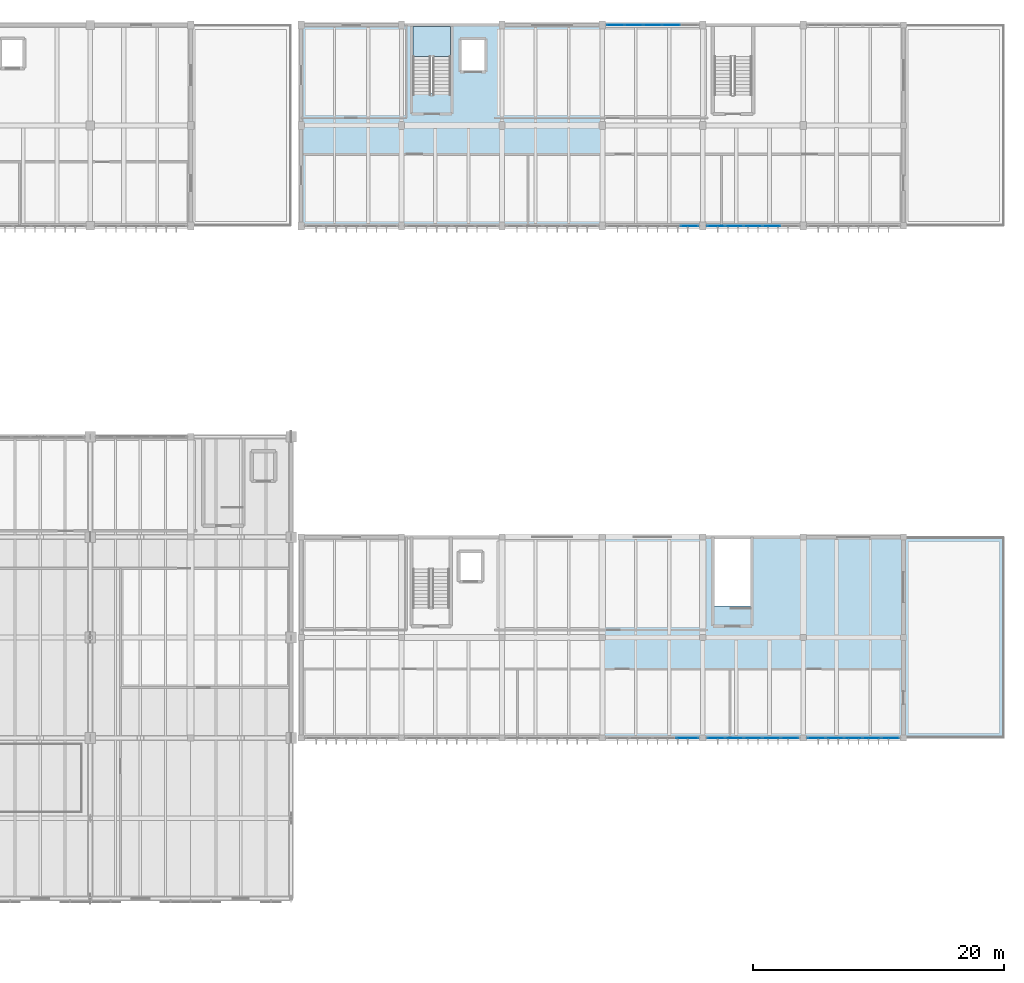
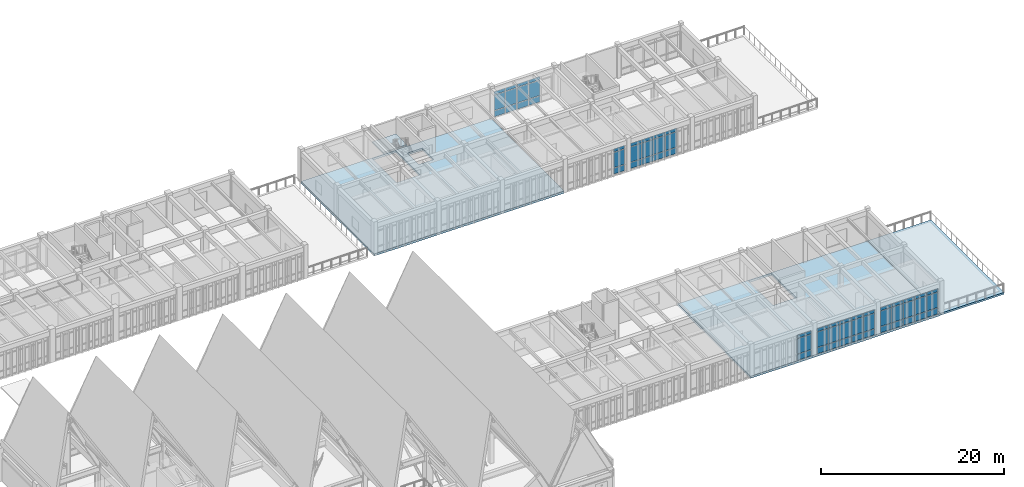
# One storey, part 40 of 72: 60 plates, 4 slabs, 7 elements without a shape of their own.
"""IFC4 building model written with IfcOpenShell, lengths in metres."""

import ifcopenshell
import ifcopenshell.guid

model = None  # the IFC model being written
_history = None  # IfcOwnerHistory: only IFC2X3 demands one
_inside = {}  # id of a spatial element -> (the spatial element, [elements in it])
_under = {}  # id of a project, library or spatial element -> (it, [spatial elements below it])
_declared = {}  # id of a project -> (the project, [libraries it declares])
_typed = {}  # id of a type object -> (the type object, [elements of that type])
_made_of = {}  # id of a material, layer set ... -> (it, [elements and type objects made of it])


def new_model(schema):
    """Start an empty IFC model of exactly this schema.

    Asked for "IFC4X3", IfcOpenShell would pick the latest addendum, in which some entities
    have other attributes; the version numbers below select the first issue.
    IFC2X3 requires an IfcOwnerHistory on every rooted entity: one is made here for all.
    """
    global model, _history
    if schema == "IFC4X3":
        model = ifcopenshell.file(schema_version=(4, 3, 0, 0))
    else:
        model = ifcopenshell.file(schema=schema)
    _inside.clear()
    _under.clear()
    _declared.clear()
    _typed.clear()
    _made_of.clear()
    _history = None
    if model.schema == "IFC2X3":
        org = make("IfcOrganization", Name="unknown")
        user = make(
            "IfcPersonAndOrganization",
            ThePerson=make("IfcPerson", FamilyName="unknown"),
            TheOrganization=org,
        )
        app = make(
            "IfcApplication",
            ApplicationDeveloper=org,
            Version="unknown",
            ApplicationFullName="unknown",
            ApplicationIdentifier="unknown",
        )
        _history = make(
            "IfcOwnerHistory",
            OwningUser=user,
            OwningApplication=app,
            ChangeAction="ADDED",
            CreationDate=0,
        )
    return model


def make(cls, **values):
    """One entity of the class cls with the attributes given. An attribute that is None is left unset."""
    return model.create_entity(
        cls, **{name: value for name, value in values.items() if value is not None}
    )


def rooted(cls, **values):
    """An entity with a GlobalId (a new one), such as an element, a storey or a relation."""
    return make(cls, GlobalId=ifcopenshell.guid.new(), OwnerHistory=_history, **values)


def si_unit(unit_type, name, prefix=None):
    """IfcSIUnit, for example si_unit("LENGTHUNIT", "METRE", prefix="MILLI")."""
    return make("IfcSIUnit", UnitType=unit_type, Prefix=prefix, Name=name)


def assignment(units):
    """IfcUnitAssignment: the units of a project."""
    return None if units is None else make("IfcUnitAssignment", Units=units)


def point(xyz):
    """IfcCartesianPoint."""
    return None if xyz is None else make("IfcCartesianPoint", Coordinates=xyz)


def direction(xyz):
    """IfcDirection."""
    return None if xyz is None else make("IfcDirection", DirectionRatios=xyz)


def frame(location, z_axis=None, x_axis=None):
    """IfcAxis2Placement3D, a coordinate frame: its origin and axes. An axis left out is left unset."""
    return make(
        "IfcAxis2Placement3D",
        Location=point(location),
        Axis=direction(z_axis),
        RefDirection=direction(x_axis),
    )


def frame_2d(location, x_axis=None):
    """IfcAxis2Placement2D, a coordinate frame in the plane: its origin and x axis."""
    return make(
        "IfcAxis2Placement2D", Location=point(location), RefDirection=direction(x_axis)
    )


def origin():
    """The frame at (0, 0, 0) with its axes left unset."""
    return frame((0.0, 0.0, 0.0))


def origin_2d():
    """The frame at (0, 0) in the plane with its x axis left unset."""
    return frame_2d((0.0, 0.0))


def place(relative_to, where):
    """IfcLocalPlacement: puts the frame where relative to a parent placement (None: the world)."""
    return make(
        "IfcLocalPlacement", PlacementRelTo=relative_to, RelativePlacement=where
    )


def context(
    kind, dimensions, precision=None, world=None, true_north=None, identifier=None
):
    """IfcGeometricRepresentationContext, for example the 3D "Model" context."""
    return make(
        "IfcGeometricRepresentationContext",
        ContextIdentifier=identifier,
        ContextType=kind,
        CoordinateSpaceDimension=dimensions,
        Precision=precision,
        WorldCoordinateSystem=world,
        TrueNorth=true_north,
    )


def subcontext(parent, identifier, kind, view, scale=None):
    """IfcGeometricRepresentationSubContext, for example "Body" below "Model"."""
    return make(
        "IfcGeometricRepresentationSubContext",
        ContextIdentifier=identifier,
        ContextType=kind,
        ParentContext=parent,
        TargetScale=scale,
        TargetView=view,
    )


def project(units=None, contexts=None):
    """IfcProject with its units and contexts."""
    return rooted(
        "IfcProject",
        Name="project",
        RepresentationContexts=contexts,
        UnitsInContext=assignment(units),
    )


def spatial(cls, under=None, at=None, **own):
    """A site, building, storey or space (cls), placed at a placement, below another one or the project."""
    s = rooted(cls, ObjectPlacement=at, **own)
    if under is not None:
        _under.setdefault(under.id(), (under, []))[1].append(s)
    return s


def polyline(points):
    """IfcPolyline through the points."""
    return make("IfcPolyline", Points=[point(p) for p in points])


def profile(cls, at=None, kind="AREA", **sizes):
    """A parametric profile (cls). Its sizes go by their IFC names, for example OverallWidth=200.0."""
    return make(cls, ProfileType=kind, Position=at, **sizes)


def rectangle(**sizes):
    """IfcRectangleProfileDef."""
    return profile("IfcRectangleProfileDef", **sizes)


def outline(outer, holes=None, kind="AREA"):
    """IfcArbitraryClosedProfileDef: a profile drawn as a closed curve; with holes, ...WithVoids."""
    if holes is None:
        return make("IfcArbitraryClosedProfileDef", ProfileType=kind, OuterCurve=outer)
    return make(
        "IfcArbitraryProfileDefWithVoids",
        ProfileType=kind,
        OuterCurve=outer,
        InnerCurves=holes,
    )


def extrude(swept, where, along, depth):
    """IfcExtrudedAreaSolid: the profile swept, set in the frame where, extruded along a direction by depth."""
    return make(
        "IfcExtrudedAreaSolid",
        SweptArea=swept,
        Position=where,
        ExtrudedDirection=direction(along),
        Depth=depth,
    )


def shape(context_of_items, identifier, shape_type, items):
    """IfcShapeRepresentation: the items that make up one representation, for example the "Body"."""
    return make(
        "IfcShapeRepresentation",
        ContextOfItems=context_of_items,
        RepresentationIdentifier=identifier,
        RepresentationType=shape_type,
        Items=items,
    )


def material(Name=None, Category=None):
    """IfcMaterial."""
    return make("IfcMaterial", Name=Name, Category=Category)


def layer(
    of_material, thickness, ventilated=None, Name=None, Category=None, Priority=None
):
    """IfcMaterialLayer: one layer of a wall or slab, of a material (None: an air gap)."""
    return make(
        "IfcMaterialLayer",
        Material=of_material,
        LayerThickness=thickness,
        IsVentilated=ventilated,
        Name=Name,
        Category=Category,
        Priority=Priority,
    )


def layer_set(layers, Name=None):
    """IfcMaterialLayerSet."""
    return make("IfcMaterialLayerSet", MaterialLayers=layers, LayerSetName=Name)


def made_of(thing, what):
    """Note that an element or type object is made of a material, layer set ...; save() writes the relation."""
    if what is not None:
        _made_of.setdefault(what.id(), (what, []))[1].append(thing)
    return thing


def type_object(cls, material=None, **own):
    """A type object (cls), such as IfcWallType, which elements share."""
    return made_of(rooted(cls, **own), material)


def element(
    cls,
    number,
    at=None,
    inside=None,
    cuts=None,
    type_object=None,
    material=None,
    context=None,
    identifier="Body",
    shape_type=None,
    held_by="IfcProductDefinitionShape",
    body=None,
    shapes=None,
    **own,
):
    """One element of the class cls, such as IfcWall. Its Tag is "e" and its number.

    at: its placement. inside: the storey or other place that contains it. cuts: it is an
    opening in that element (IfcRelVoidsElement). A single representation is given by context,
    identifier, shape_type and body (its items); several are given by shapes. held_by: the class
    of the entity that holds the representations. save() writes the other relations.
    """
    e = rooted(cls, Tag="e%d" % number, ObjectPlacement=at, **own)
    if body is not None:
        shapes = [shape(context, identifier, shape_type, body)]
    if shapes is not None:
        e.Representation = make(held_by, Representations=shapes)
    if inside is not None:
        _inside.setdefault(inside.id(), (inside, []))[1].append(e)
    if cuts is not None:
        rooted(
            "IfcRelVoidsElement", RelatingBuildingElement=cuts, RelatedOpeningElement=e
        )
    if type_object is not None:
        _typed.setdefault(type_object.id(), (type_object, []))[1].append(e)
    return made_of(e, material)


def aggregate(whole, parts):
    """IfcRelAggregates: a whole, such as a stair, and the parts it consists of."""
    return rooted("IfcRelAggregates", RelatingObject=whole, RelatedObjects=parts)


def save(model, path):
    """Write the relations noted so far, then the file.

    IfcRelAggregates (storeys below a building ...), IfcRelContainedInSpatialStructure (elements
    in a storey), IfcRelDefinesByType, IfcRelAssociatesMaterial and IfcRelDeclares: one each for
    every whole, place, type object, material and project.
    """
    for whole, parts in _under.values():
        aggregate(whole, parts)
    for where, things in _inside.values():
        rooted(
            "IfcRelContainedInSpatialStructure",
            RelatedElements=things,
            RelatingStructure=where,
        )
    for kind, things in _typed.values():
        rooted("IfcRelDefinesByType", RelatedObjects=things, RelatingType=kind)
    for what, things in _made_of.values():
        rooted("IfcRelAssociatesMaterial", RelatedObjects=things, RelatingMaterial=what)
    for by, libraries in _declared.values():
        rooted("IfcRelDeclares", RelatingContext=by, RelatedDefinitions=libraries)
    model.write(path)


model = new_model("IFC4")

# Units and contexts
model_context = context("Model", 3, precision=1e-05, world=origin(), true_north=direction((0.0, 1.0)))
body_context = subcontext(model_context, "Body", "Model", "MODEL_VIEW")
ifc_project = project(units=[si_unit("LENGTHUNIT", "METRE"), si_unit("AREAUNIT", "SQUARE_METRE"), si_unit("VOLUMEUNIT", "CUBIC_METRE"), si_unit("PLANEANGLEUNIT", "RADIAN"), si_unit("MASSUNIT", "GRAM", prefix="KILO")], contexts=[model_context])

# Site, building, storey
site_placement = place(None, origin())
site = spatial("IfcSite", under=ifc_project, at=site_placement, CompositionType="ELEMENT")
building_placement = place(site_placement, origin())
building = spatial("IfcBuilding", under=site, at=building_placement, Name="Tlaxcora Railside Police Headquarters", CompositionType="ELEMENT")
storey_placement = place(building_placement, frame((0.0, 0.0, 13.5)))
storey = spatial("IfcBuildingStorey", under=building, at=storey_placement, Name="L03", CompositionType="ELEMENT", Elevation=13.5)

# Curtain wall, plates
ifc_material_1 = material(Name="Thermally broken low-E insulated glazing", Category="glass")
curtain_wall_type_1 = type_object("IfcCurtainWallType", Name="Unitised Curtain Wall Assembly CW-23", PredefinedType="NOTDEFINED", material=ifc_material_1)
curtain_wall_1_placement = place(storey_placement, origin())
curtain_wall_1 = element("IfcCurtainWall", 1, at=curtain_wall_1_placement, inside=storey, type_object=curtain_wall_type_1, Name="V7 L03 curtain wall 188", PredefinedType="NOTDEFINED")
ifc_layer_1 = layer(ifc_material_1, 0.0400390625, Name="Thermally broken low-E insulated glazing")
ifc_layer_set_1 = layer_set([ifc_layer_1], Name="Thermally broken low-E insulated glazing")
plate_type_1 = type_object("IfcPlateType", Name="Curtain Wall Infill Panel CW-17", PredefinedType="CURTAIN_PANEL", material=ifc_layer_set_1)
plate_1_placement = place(storey_placement, frame((135.860107421875, 36.0, 0.080078125), z_axis=(0.0, 0.0, 1.0), x_axis=(1.0, 0.0, 0.0)))
plate_1 = element("IfcPlate", 2, at=plate_1_placement, type_object=plate_type_1, Name="CW panel 1.1", PredefinedType="CURTAIN_PANEL", context=body_context, shape_type="SweptSolid", body=[
    extrude(rectangle(XDim=1.360107421875, YDim=0.0400390625, at=origin_2d()), origin(), (0.0, 0.0, 1.0), 0.780029296875),
])
plate_2_placement = place(storey_placement, frame((135.860107421875, 36.0, 0.93994140625), z_axis=(0.0, 0.0, 1.0), x_axis=(1.0, 0.0, 0.0)))
plate_2 = element("IfcPlate", 3, at=plate_2_placement, type_object=plate_type_1, Name="CW panel 1.2", PredefinedType="CURTAIN_PANEL", context=body_context, shape_type="SweptSolid", body=[
    extrude(rectangle(XDim=1.360107421875, YDim=0.0400390625, at=origin_2d()), origin(), (0.0, 0.0, 1.0), 2.010009765625),
])
plate_3_placement = place(storey_placement, frame((135.860107421875, 36.0, 3.0302734375), z_axis=(0.0, 0.0, 1.0), x_axis=(1.0, 0.0, 0.0)))
plate_3 = element("IfcPlate", 4, at=plate_3_placement, type_object=plate_type_1, Name="CW panel 1.3", PredefinedType="CURTAIN_PANEL", context=body_context, shape_type="SweptSolid", body=[
    extrude(rectangle(XDim=1.360107421875, YDim=0.0400390625, at=origin_2d()), origin(), (0.0, 0.0, 1.0), 0.409912109375),
])
plate_4_placement = place(storey_placement, frame((137.320068359375, 36.0, 0.080078125), z_axis=(0.0, 0.0, 1.0), x_axis=(1.0, 0.0, 0.0)))
plate_4 = element("IfcPlate", 5, at=plate_4_placement, type_object=plate_type_1, Name="CW panel 2.1", PredefinedType="CURTAIN_PANEL", context=body_context, shape_type="SweptSolid", body=[
    extrude(rectangle(XDim=1.39990234375, YDim=0.0400390625, at=origin_2d()), origin(), (0.0, 0.0, 1.0), 0.780029296875),
])
plate_5_placement = place(storey_placement, frame((137.320068359375, 36.0, 0.93994140625), z_axis=(0.0, 0.0, 1.0), x_axis=(1.0, 0.0, 0.0)))
plate_5 = element("IfcPlate", 6, at=plate_5_placement, type_object=plate_type_1, Name="CW panel 2.2", PredefinedType="CURTAIN_PANEL", context=body_context, shape_type="SweptSolid", body=[
    extrude(rectangle(XDim=1.39990234375, YDim=0.0400390625, at=origin_2d()), origin(), (0.0, 0.0, 1.0), 2.010009765625),
])
plate_6_placement = place(storey_placement, frame((137.320068359375, 36.0, 3.0302734375), z_axis=(0.0, 0.0, 1.0), x_axis=(1.0, 0.0, 0.0)))
plate_6 = element("IfcPlate", 7, at=plate_6_placement, type_object=plate_type_1, Name="CW panel 2.3", PredefinedType="CURTAIN_PANEL", context=body_context, shape_type="SweptSolid", body=[
    extrude(rectangle(XDim=1.39990234375, YDim=0.0400390625, at=origin_2d()), origin(), (0.0, 0.0, 1.0), 0.409912109375),
])
plate_7_placement = place(storey_placement, frame((138.800048828125, 36.0, 0.080078125), z_axis=(0.0, 0.0, 1.0), x_axis=(1.0, 0.0, 0.0)))
plate_7 = element("IfcPlate", 8, at=plate_7_placement, type_object=plate_type_1, Name="CW panel 3.1", PredefinedType="CURTAIN_PANEL", context=body_context, shape_type="SweptSolid", body=[
    extrude(rectangle(XDim=1.39990234375, YDim=0.0400390625, at=origin_2d()), origin(), (0.0, 0.0, 1.0), 0.780029296875),
])
plate_8_placement = place(storey_placement, frame((138.800048828125, 36.0, 0.93994140625), z_axis=(0.0, 0.0, 1.0), x_axis=(1.0, 0.0, 0.0)))
plate_8 = element("IfcPlate", 9, at=plate_8_placement, type_object=plate_type_1, Name="CW panel 3.2", PredefinedType="CURTAIN_PANEL", context=body_context, shape_type="SweptSolid", body=[
    extrude(rectangle(XDim=1.39990234375, YDim=0.0400390625, at=origin_2d()), origin(), (0.0, 0.0, 1.0), 2.010009765625),
])
plate_9_placement = place(storey_placement, frame((138.800048828125, 36.0, 3.0302734375), z_axis=(0.0, 0.0, 1.0), x_axis=(1.0, 0.0, 0.0)))
plate_9 = element("IfcPlate", 10, at=plate_9_placement, type_object=plate_type_1, Name="CW panel 3.3", PredefinedType="CURTAIN_PANEL", context=body_context, shape_type="SweptSolid", body=[
    extrude(rectangle(XDim=1.39990234375, YDim=0.0400390625, at=origin_2d()), origin(), (0.0, 0.0, 1.0), 0.409912109375),
])
plate_10_placement = place(storey_placement, frame((140.280029296875, 36.0, 0.080078125), z_axis=(0.0, 0.0, 1.0), x_axis=(1.0, 0.0, 0.0)))
plate_10 = element("IfcPlate", 11, at=plate_10_placement, type_object=plate_type_1, Name="CW panel 4.1", PredefinedType="CURTAIN_PANEL", context=body_context, shape_type="SweptSolid", body=[
    extrude(rectangle(XDim=1.39990234375, YDim=0.0400390625, at=origin_2d()), origin(), (0.0, 0.0, 1.0), 0.780029296875),
])
plate_11_placement = place(storey_placement, frame((140.280029296875, 36.0, 0.93994140625), z_axis=(0.0, 0.0, 1.0), x_axis=(1.0, 0.0, 0.0)))
plate_11 = element("IfcPlate", 12, at=plate_11_placement, type_object=plate_type_1, Name="CW panel 4.2", PredefinedType="CURTAIN_PANEL", context=body_context, shape_type="SweptSolid", body=[
    extrude(rectangle(XDim=1.39990234375, YDim=0.0400390625, at=origin_2d()), origin(), (0.0, 0.0, 1.0), 2.010009765625),
])
plate_12_placement = place(storey_placement, frame((140.280029296875, 36.0, 3.0302734375), z_axis=(0.0, 0.0, 1.0), x_axis=(1.0, 0.0, 0.0)))
plate_12 = element("IfcPlate", 13, at=plate_12_placement, type_object=plate_type_1, Name="CW panel 4.3", PredefinedType="CURTAIN_PANEL", context=body_context, shape_type="SweptSolid", body=[
    extrude(rectangle(XDim=1.39990234375, YDim=0.0400390625, at=origin_2d()), origin(), (0.0, 0.0, 1.0), 0.409912109375),
])
plate_13_placement = place(storey_placement, frame((141.739990234375, 36.0, 0.080078125), z_axis=(0.0, 0.0, 1.0), x_axis=(1.0, 0.0, 0.0)))
plate_13 = element("IfcPlate", 14, at=plate_13_placement, type_object=plate_type_1, Name="CW panel 5.1", PredefinedType="CURTAIN_PANEL", context=body_context, shape_type="SweptSolid", body=[
    extrude(rectangle(XDim=1.360107421875, YDim=0.0400390625, at=origin_2d()), origin(), (0.0, 0.0, 1.0), 0.780029296875),
])
plate_14_placement = place(storey_placement, frame((141.739990234375, 36.0, 0.93994140625), z_axis=(0.0, 0.0, 1.0), x_axis=(1.0, 0.0, 0.0)))
plate_14 = element("IfcPlate", 15, at=plate_14_placement, type_object=plate_type_1, Name="CW panel 5.2", PredefinedType="CURTAIN_PANEL", context=body_context, shape_type="SweptSolid", body=[
    extrude(rectangle(XDim=1.360107421875, YDim=0.0400390625, at=origin_2d()), origin(), (0.0, 0.0, 1.0), 2.010009765625),
])
plate_15_placement = place(storey_placement, frame((141.739990234375, 36.0, 3.0302734375), z_axis=(0.0, 0.0, 1.0), x_axis=(1.0, 0.0, 0.0)))
plate_15 = element("IfcPlate", 16, at=plate_15_placement, type_object=plate_type_1, Name="CW panel 5.3", PredefinedType="CURTAIN_PANEL", context=body_context, shape_type="SweptSolid", body=[
    extrude(rectangle(XDim=1.360107421875, YDim=0.0400390625, at=origin_2d()), origin(), (0.0, 0.0, 1.0), 0.409912109375),
])
aggregate(curtain_wall_1, [plate_1, plate_2, plate_3, plate_4, plate_5, plate_6, plate_7, plate_8, plate_9, plate_10, plate_11, plate_12, plate_13, plate_14, plate_15])

curtain_wall_type_2 = type_object("IfcCurtainWallType", Name="Unitised Curtain Wall Assembly CW-15", PredefinedType="NOTDEFINED", material=ifc_material_1)
curtain_wall_2_placement = place(storey_placement, origin())
curtain_wall_2 = element("IfcCurtainWall", 17, at=curtain_wall_2_placement, inside=storey, type_object=curtain_wall_type_2, Name="V6 L03 curtain wall 166", PredefinedType="NOTDEFINED")
ifc_layer_2 = layer(ifc_material_1, 0.031982421875, Name="Thermally broken low-E insulated glazing")
ifc_layer_set_2 = layer_set([ifc_layer_2], Name="Thermally broken low-E insulated glazing")
plate_type_2 = type_object("IfcPlateType", Name="Curtain Wall Infill Panel CW-41", PredefinedType="CURTAIN_PANEL", material=ifc_layer_set_2)
plate_16_placement = place(storey_placement, frame((135.858642578125, 76.800048828125, 0.074951171875), z_axis=(0.0, 0.0, 1.0), x_axis=(1.0, 0.0, 0.0)))
plate_16 = element("IfcPlate", 18, at=plate_16_placement, type_object=plate_type_2, Name="CW panel 1.1", PredefinedType="CURTAIN_PANEL", context=body_context, shape_type="SweptSolid", body=[
    extrude(rectangle(XDim=1.367431640625, YDim=0.031982421875, at=origin_2d()), origin(), (0.0, 0.0, 1.0), 0.78759765625),
])
plate_17_placement = place(storey_placement, frame((135.858642578125, 76.800048828125, 0.9375), z_axis=(0.0, 0.0, 1.0), x_axis=(1.0, 0.0, 0.0)))
plate_17 = element("IfcPlate", 19, at=plate_17_placement, type_object=plate_type_2, Name="CW panel 1.2", PredefinedType="CURTAIN_PANEL", context=body_context, shape_type="SweptSolid", body=[
    extrude(rectangle(XDim=1.367431640625, YDim=0.031982421875, at=origin_2d()), origin(), (0.0, 0.0, 1.0), 2.014892578125),
])
plate_18_placement = place(storey_placement, frame((135.858642578125, 76.800048828125, 3.027587890625), z_axis=(0.0, 0.0, 1.0), x_axis=(1.0, 0.0, 0.0)))
plate_18 = element("IfcPlate", 20, at=plate_18_placement, type_object=plate_type_2, Name="CW panel 1.3", PredefinedType="CURTAIN_PANEL", context=body_context, shape_type="SweptSolid", body=[
    extrude(rectangle(XDim=1.367431640625, YDim=0.031982421875, at=origin_2d()), origin(), (0.0, 0.0, 1.0), 0.41748046875),
])
plate_19_placement = place(storey_placement, frame((137.320068359375, 76.800048828125, 0.074951171875), z_axis=(0.0, 0.0, 1.0), x_axis=(1.0, 0.0, 0.0)))
plate_19 = element("IfcPlate", 21, at=plate_19_placement, type_object=plate_type_2, Name="CW panel 2.1", PredefinedType="CURTAIN_PANEL", context=body_context, shape_type="SweptSolid", body=[
    extrude(rectangle(XDim=1.405029296875, YDim=0.031982421875, at=origin_2d()), origin(), (0.0, 0.0, 1.0), 0.78759765625),
])
plate_20_placement = place(storey_placement, frame((137.320068359375, 76.800048828125, 0.9375), z_axis=(0.0, 0.0, 1.0), x_axis=(1.0, 0.0, 0.0)))
plate_20 = element("IfcPlate", 22, at=plate_20_placement, type_object=plate_type_2, Name="CW panel 2.2", PredefinedType="CURTAIN_PANEL", context=body_context, shape_type="SweptSolid", body=[
    extrude(rectangle(XDim=1.405029296875, YDim=0.031982421875, at=origin_2d()), origin(), (0.0, 0.0, 1.0), 2.014892578125),
])
plate_21_placement = place(storey_placement, frame((137.320068359375, 76.800048828125, 3.027587890625), z_axis=(0.0, 0.0, 1.0), x_axis=(1.0, 0.0, 0.0)))
plate_21 = element("IfcPlate", 23, at=plate_21_placement, type_object=plate_type_2, Name="CW panel 2.3", PredefinedType="CURTAIN_PANEL", context=body_context, shape_type="SweptSolid", body=[
    extrude(rectangle(XDim=1.405029296875, YDim=0.031982421875, at=origin_2d()), origin(), (0.0, 0.0, 1.0), 0.41748046875),
])
plate_22_placement = place(storey_placement, frame((138.800048828125, 76.800048828125, 0.074951171875), z_axis=(0.0, 0.0, 1.0), x_axis=(1.0, 0.0, 0.0)))
plate_22 = element("IfcPlate", 24, at=plate_22_placement, type_object=plate_type_2, Name="CW panel 3.1", PredefinedType="CURTAIN_PANEL", context=body_context, shape_type="SweptSolid", body=[
    extrude(rectangle(XDim=1.405029296875, YDim=0.031982421875, at=origin_2d()), origin(), (0.0, 0.0, 1.0), 0.78759765625),
])
plate_23_placement = place(storey_placement, frame((138.800048828125, 76.800048828125, 0.9375), z_axis=(0.0, 0.0, 1.0), x_axis=(1.0, 0.0, 0.0)))
plate_23 = element("IfcPlate", 25, at=plate_23_placement, type_object=plate_type_2, Name="CW panel 3.2", PredefinedType="CURTAIN_PANEL", context=body_context, shape_type="SweptSolid", body=[
    extrude(rectangle(XDim=1.405029296875, YDim=0.031982421875, at=origin_2d()), origin(), (0.0, 0.0, 1.0), 2.014892578125),
])
plate_24_placement = place(storey_placement, frame((138.800048828125, 76.800048828125, 3.027587890625), z_axis=(0.0, 0.0, 1.0), x_axis=(1.0, 0.0, 0.0)))
plate_24 = element("IfcPlate", 26, at=plate_24_placement, type_object=plate_type_2, Name="CW panel 3.3", PredefinedType="CURTAIN_PANEL", context=body_context, shape_type="SweptSolid", body=[
    extrude(rectangle(XDim=1.405029296875, YDim=0.031982421875, at=origin_2d()), origin(), (0.0, 0.0, 1.0), 0.41748046875),
])
plate_25_placement = place(storey_placement, frame((140.280029296875, 76.800048828125, 0.074951171875), z_axis=(0.0, 0.0, 1.0), x_axis=(1.0, 0.0, 0.0)))
plate_25 = element("IfcPlate", 27, at=plate_25_placement, type_object=plate_type_2, Name="CW panel 4.1", PredefinedType="CURTAIN_PANEL", context=body_context, shape_type="SweptSolid", body=[
    extrude(rectangle(XDim=1.405029296875, YDim=0.031982421875, at=origin_2d()), origin(), (0.0, 0.0, 1.0), 0.78759765625),
])
plate_26_placement = place(storey_placement, frame((140.280029296875, 76.800048828125, 0.9375), z_axis=(0.0, 0.0, 1.0), x_axis=(1.0, 0.0, 0.0)))
plate_26 = element("IfcPlate", 28, at=plate_26_placement, type_object=plate_type_2, Name="CW panel 4.2", PredefinedType="CURTAIN_PANEL", context=body_context, shape_type="SweptSolid", body=[
    extrude(rectangle(XDim=1.405029296875, YDim=0.031982421875, at=origin_2d()), origin(), (0.0, 0.0, 1.0), 2.014892578125),
])
plate_27_placement = place(storey_placement, frame((140.280029296875, 76.800048828125, 3.027587890625), z_axis=(0.0, 0.0, 1.0), x_axis=(1.0, 0.0, 0.0)))
plate_27 = element("IfcPlate", 29, at=plate_27_placement, type_object=plate_type_2, Name="CW panel 4.3", PredefinedType="CURTAIN_PANEL", context=body_context, shape_type="SweptSolid", body=[
    extrude(rectangle(XDim=1.405029296875, YDim=0.031982421875, at=origin_2d()), origin(), (0.0, 0.0, 1.0), 0.41748046875),
])
aggregate(curtain_wall_2, [plate_16, plate_17, plate_18, plate_19, plate_20, plate_21, plate_22, plate_23, plate_24, plate_25, plate_26, plate_27])

curtain_wall_type_3 = type_object("IfcCurtainWallType", Name="Unitised Curtain Wall Assembly CW-83", PredefinedType="NOTDEFINED", material=ifc_material_1)
curtain_wall_3_placement = place(storey_placement, origin())
curtain_wall_3 = element("IfcCurtainWall", 30, at=curtain_wall_3_placement, inside=storey, type_object=curtain_wall_type_3, Name="V7 L03 curtain wall 187", PredefinedType="NOTDEFINED")
ifc_layer_3 = layer(ifc_material_1, 0.035888671875, Name="Thermally broken low-E insulated glazing")
ifc_layer_set_3 = layer_set([ifc_layer_3], Name="Thermally broken low-E insulated glazing")
plate_type_3 = type_object("IfcPlateType", Name="Curtain Wall Infill Panel CW-72", PredefinedType="CURTAIN_PANEL", material=ifc_layer_set_3)
plate_28_placement = place(storey_placement, frame((133.554931640625, 36.0, 0.080078125), z_axis=(0.0, 0.0, 1.0), x_axis=(1.0, 0.0, 0.0)))
plate_28 = element("IfcPlate", 31, at=plate_28_placement, type_object=plate_type_3, Name="CW panel 4.1", PredefinedType="CURTAIN_PANEL", context=body_context, shape_type="SweptSolid", body=[
    extrude(rectangle(XDim=1.72998046875, YDim=0.035888671875, at=origin_2d()), origin(), (0.0, 0.0, 1.0), 0.780029296875),
])
plate_29_placement = place(storey_placement, frame((133.554931640625, 36.0, 0.93994140625), z_axis=(0.0, 0.0, 1.0), x_axis=(1.0, 0.0, 0.0)))
plate_29 = element("IfcPlate", 32, at=plate_29_placement, type_object=plate_type_3, Name="CW panel 4.2", PredefinedType="CURTAIN_PANEL", context=body_context, shape_type="SweptSolid", body=[
    extrude(rectangle(XDim=1.72998046875, YDim=0.035888671875, at=origin_2d()), origin(), (0.0, 0.0, 1.0), 2.010009765625),
])
plate_30_placement = place(storey_placement, frame((133.554931640625, 36.0, 3.0302734375), z_axis=(0.0, 0.0, 1.0), x_axis=(1.0, 0.0, 0.0)))
plate_30 = element("IfcPlate", 33, at=plate_30_placement, type_object=plate_type_3, Name="CW panel 4.3", PredefinedType="CURTAIN_PANEL", context=body_context, shape_type="SweptSolid", body=[
    extrude(rectangle(XDim=1.72998046875, YDim=0.035888671875, at=origin_2d()), origin(), (0.0, 0.0, 1.0), 0.409912109375),
])
aggregate(curtain_wall_3, [plate_28, plate_29, plate_30])

curtain_wall_type_4 = type_object("IfcCurtainWallType", Name="Unitised Curtain Wall Assembly CW-38", PredefinedType="NOTDEFINED", material=ifc_material_1)
curtain_wall_4_placement = place(storey_placement, origin())
curtain_wall_4 = element("IfcCurtainWall", 34, at=curtain_wall_4_placement, inside=storey, type_object=curtain_wall_type_4, Name="V6 L03 curtain wall 165", PredefinedType="NOTDEFINED")
ifc_layer_4 = layer(ifc_material_1, 0.028076171875, Name="Thermally broken low-E insulated glazing")
ifc_layer_set_4 = layer_set([ifc_layer_4], Name="Thermally broken low-E insulated glazing")
plate_type_4 = type_object("IfcPlateType", Name="Curtain Wall Infill Panel CW-92", PredefinedType="CURTAIN_PANEL", material=ifc_layer_set_4)
plate_31_placement = place(storey_placement, frame((133.7412109375, 76.800048828125, 0.074951171875), z_axis=(0.0, 0.0, 1.0), x_axis=(1.0, 0.0, 0.0)))
plate_31 = element("IfcPlate", 35, at=plate_31_placement, type_object=plate_type_4, Name="CW panel 5.1", PredefinedType="CURTAIN_PANEL", context=body_context, shape_type="SweptSolid", body=[
    extrude(rectangle(XDim=1.367431640625, YDim=0.028076171875, at=origin_2d()), origin(), (0.0, 0.0, 1.0), 0.78759765625),
])
plate_32_placement = place(storey_placement, frame((133.7412109375, 76.800048828125, 0.9375), z_axis=(0.0, 0.0, 1.0), x_axis=(1.0, 0.0, 0.0)))
plate_32 = element("IfcPlate", 36, at=plate_32_placement, type_object=plate_type_4, Name="CW panel 5.2", PredefinedType="CURTAIN_PANEL", context=body_context, shape_type="SweptSolid", body=[
    extrude(rectangle(XDim=1.367431640625, YDim=0.028076171875, at=origin_2d()), origin(), (0.0, 0.0, 1.0), 2.014892578125),
])
plate_33_placement = place(storey_placement, frame((133.7412109375, 76.800048828125, 3.027587890625), z_axis=(0.0, 0.0, 1.0), x_axis=(1.0, 0.0, 0.0)))
plate_33 = element("IfcPlate", 37, at=plate_33_placement, type_object=plate_type_4, Name="CW panel 5.3", PredefinedType="CURTAIN_PANEL", context=body_context, shape_type="SweptSolid", body=[
    extrude(rectangle(XDim=1.367431640625, YDim=0.028076171875, at=origin_2d()), origin(), (0.0, 0.0, 1.0), 0.41748046875),
])
aggregate(curtain_wall_4, [plate_31, plate_32, plate_33])

curtain_wall_5_placement = place(storey_placement, origin())
curtain_wall_5 = element("IfcCurtainWall", 38, at=curtain_wall_5_placement, inside=storey, type_object=curtain_wall_type_4, Name="V6 L03 curtain wall 169", PredefinedType="NOTDEFINED")
plate_34_placement = place(storey_placement, frame((132.280029296875, 92.800048828125, 0.074951171875), z_axis=(0.0, 0.0, 1.0), x_axis=(-1.0, 0.0, 0.0)))
plate_34 = element("IfcPlate", 39, at=plate_34_placement, type_object=plate_type_4, Name="CW panel 2.1", PredefinedType="CURTAIN_PANEL", context=body_context, shape_type="SweptSolid", body=[
    extrude(rectangle(XDim=1.405029296875, YDim=0.028076171875, at=origin_2d()), origin(), (0.0, 0.0, 1.0), 0.78759765625),
])
plate_35_placement = place(storey_placement, frame((132.280029296875, 92.800048828125, 0.9375), z_axis=(0.0, 0.0, 1.0), x_axis=(-1.0, 0.0, 0.0)))
plate_35 = element("IfcPlate", 40, at=plate_35_placement, type_object=plate_type_4, Name="CW panel 2.2", PredefinedType="CURTAIN_PANEL", context=body_context, shape_type="SweptSolid", body=[
    extrude(rectangle(XDim=1.405029296875, YDim=0.028076171875, at=origin_2d()), origin(), (0.0, 0.0, 1.0), 2.014892578125),
])
plate_36_placement = place(storey_placement, frame((132.280029296875, 92.800048828125, 3.027587890625), z_axis=(0.0, 0.0, 1.0), x_axis=(-1.0, 0.0, 0.0)))
plate_36 = element("IfcPlate", 41, at=plate_36_placement, type_object=plate_type_4, Name="CW panel 2.3", PredefinedType="CURTAIN_PANEL", context=body_context, shape_type="SweptSolid", body=[
    extrude(rectangle(XDim=1.405029296875, YDim=0.028076171875, at=origin_2d()), origin(), (0.0, 0.0, 1.0), 0.41748046875),
])
plate_37_placement = place(storey_placement, frame((130.800048828125, 92.800048828125, 0.074951171875), z_axis=(0.0, 0.0, 1.0), x_axis=(-1.0, 0.0, 0.0)))
plate_37 = element("IfcPlate", 42, at=plate_37_placement, type_object=plate_type_4, Name="CW panel 3.1", PredefinedType="CURTAIN_PANEL", context=body_context, shape_type="SweptSolid", body=[
    extrude(rectangle(XDim=1.405029296875, YDim=0.028076171875, at=origin_2d()), origin(), (0.0, 0.0, 1.0), 0.78759765625),
])
plate_38_placement = place(storey_placement, frame((130.800048828125, 92.800048828125, 0.9375), z_axis=(0.0, 0.0, 1.0), x_axis=(-1.0, 0.0, 0.0)))
plate_38 = element("IfcPlate", 43, at=plate_38_placement, type_object=plate_type_4, Name="CW panel 3.2", PredefinedType="CURTAIN_PANEL", context=body_context, shape_type="SweptSolid", body=[
    extrude(rectangle(XDim=1.405029296875, YDim=0.028076171875, at=origin_2d()), origin(), (0.0, 0.0, 1.0), 2.014892578125),
])
plate_39_placement = place(storey_placement, frame((130.800048828125, 92.800048828125, 3.027587890625), z_axis=(0.0, 0.0, 1.0), x_axis=(-1.0, 0.0, 0.0)))
plate_39 = element("IfcPlate", 44, at=plate_39_placement, type_object=plate_type_4, Name="CW panel 3.3", PredefinedType="CURTAIN_PANEL", context=body_context, shape_type="SweptSolid", body=[
    extrude(rectangle(XDim=1.405029296875, YDim=0.028076171875, at=origin_2d()), origin(), (0.0, 0.0, 1.0), 0.41748046875),
])
plate_40_placement = place(storey_placement, frame((129.320068359375, 92.800048828125, 0.074951171875), z_axis=(0.0, 0.0, 1.0), x_axis=(-1.0, 0.0, 0.0)))
plate_40 = element("IfcPlate", 45, at=plate_40_placement, type_object=plate_type_4, Name="CW panel 4.1", PredefinedType="CURTAIN_PANEL", context=body_context, shape_type="SweptSolid", body=[
    extrude(rectangle(XDim=1.405029296875, YDim=0.028076171875, at=origin_2d()), origin(), (0.0, 0.0, 1.0), 0.78759765625),
])
plate_41_placement = place(storey_placement, frame((129.320068359375, 92.800048828125, 0.9375), z_axis=(0.0, 0.0, 1.0), x_axis=(-1.0, 0.0, 0.0)))
plate_41 = element("IfcPlate", 46, at=plate_41_placement, type_object=plate_type_4, Name="CW panel 4.2", PredefinedType="CURTAIN_PANEL", context=body_context, shape_type="SweptSolid", body=[
    extrude(rectangle(XDim=1.405029296875, YDim=0.028076171875, at=origin_2d()), origin(), (0.0, 0.0, 1.0), 2.014892578125),
])
plate_42_placement = place(storey_placement, frame((129.320068359375, 92.800048828125, 3.027587890625), z_axis=(0.0, 0.0, 1.0), x_axis=(-1.0, 0.0, 0.0)))
plate_42 = element("IfcPlate", 47, at=plate_42_placement, type_object=plate_type_4, Name="CW panel 4.3", PredefinedType="CURTAIN_PANEL", context=body_context, shape_type="SweptSolid", body=[
    extrude(rectangle(XDim=1.405029296875, YDim=0.028076171875, at=origin_2d()), origin(), (0.0, 0.0, 1.0), 0.41748046875),
])
plate_43_placement = place(storey_placement, frame((127.858642578125, 92.800048828125, 0.074951171875), z_axis=(0.0, 0.0, 1.0), x_axis=(-1.0, 0.0, 0.0)))
plate_43 = element("IfcPlate", 48, at=plate_43_placement, type_object=plate_type_4, Name="CW panel 5.1", PredefinedType="CURTAIN_PANEL", context=body_context, shape_type="SweptSolid", body=[
    extrude(rectangle(XDim=1.367431640625, YDim=0.028076171875, at=origin_2d()), origin(), (0.0, 0.0, 1.0), 0.78759765625),
])
plate_44_placement = place(storey_placement, frame((127.858642578125, 92.800048828125, 0.9375), z_axis=(0.0, 0.0, 1.0), x_axis=(-1.0, 0.0, 0.0)))
plate_44 = element("IfcPlate", 49, at=plate_44_placement, type_object=plate_type_4, Name="CW panel 5.2", PredefinedType="CURTAIN_PANEL", context=body_context, shape_type="SweptSolid", body=[
    extrude(rectangle(XDim=1.367431640625, YDim=0.028076171875, at=origin_2d()), origin(), (0.0, 0.0, 1.0), 2.014892578125),
])
plate_45_placement = place(storey_placement, frame((127.858642578125, 92.800048828125, 3.027587890625), z_axis=(0.0, 0.0, 1.0), x_axis=(-1.0, 0.0, 0.0)))
plate_45 = element("IfcPlate", 50, at=plate_45_placement, type_object=plate_type_4, Name="CW panel 5.3", PredefinedType="CURTAIN_PANEL", context=body_context, shape_type="SweptSolid", body=[
    extrude(rectangle(XDim=1.367431640625, YDim=0.028076171875, at=origin_2d()), origin(), (0.0, 0.0, 1.0), 0.41748046875),
])
aggregate(curtain_wall_5, [plate_34, plate_35, plate_36, plate_37, plate_38, plate_39, plate_40, plate_41, plate_42, plate_43, plate_44, plate_45])

curtain_wall_6_placement = place(storey_placement, origin())
curtain_wall_6 = element("IfcCurtainWall", 51, at=curtain_wall_6_placement, inside=storey, type_object=curtain_wall_type_4, Name="V7 L03 curtain wall 189", PredefinedType="NOTDEFINED")
plate_46_placement = place(storey_placement, frame((143.858642578125, 36.0, 0.074951171875), z_axis=(0.0, 0.0, 1.0), x_axis=(1.0, 0.0, 0.0)))
plate_46 = element("IfcPlate", 52, at=plate_46_placement, type_object=plate_type_4, Name="CW panel 1.1", PredefinedType="CURTAIN_PANEL", context=body_context, shape_type="SweptSolid", body=[
    extrude(rectangle(XDim=1.367431640625, YDim=0.028076171875, at=origin_2d()), origin(), (0.0, 0.0, 1.0), 0.78759765625),
])
plate_47_placement = place(storey_placement, frame((143.858642578125, 36.0, 0.9375), z_axis=(0.0, 0.0, 1.0), x_axis=(1.0, 0.0, 0.0)))
plate_47 = element("IfcPlate", 53, at=plate_47_placement, type_object=plate_type_4, Name="CW panel 1.2", PredefinedType="CURTAIN_PANEL", context=body_context, shape_type="SweptSolid", body=[
    extrude(rectangle(XDim=1.367431640625, YDim=0.028076171875, at=origin_2d()), origin(), (0.0, 0.0, 1.0), 2.014892578125),
])
plate_48_placement = place(storey_placement, frame((143.858642578125, 36.0, 3.027587890625), z_axis=(0.0, 0.0, 1.0), x_axis=(1.0, 0.0, 0.0)))
plate_48 = element("IfcPlate", 54, at=plate_48_placement, type_object=plate_type_4, Name="CW panel 1.3", PredefinedType="CURTAIN_PANEL", context=body_context, shape_type="SweptSolid", body=[
    extrude(rectangle(XDim=1.367431640625, YDim=0.028076171875, at=origin_2d()), origin(), (0.0, 0.0, 1.0), 0.41748046875),
])
plate_49_placement = place(storey_placement, frame((145.320068359375, 36.0, 0.074951171875), z_axis=(0.0, 0.0, 1.0), x_axis=(1.0, 0.0, 0.0)))
plate_49 = element("IfcPlate", 55, at=plate_49_placement, type_object=plate_type_4, Name="CW panel 2.1", PredefinedType="CURTAIN_PANEL", context=body_context, shape_type="SweptSolid", body=[
    extrude(rectangle(XDim=1.405029296875, YDim=0.028076171875, at=origin_2d()), origin(), (0.0, 0.0, 1.0), 0.78759765625),
])
plate_50_placement = place(storey_placement, frame((145.320068359375, 36.0, 0.9375), z_axis=(0.0, 0.0, 1.0), x_axis=(1.0, 0.0, 0.0)))
plate_50 = element("IfcPlate", 56, at=plate_50_placement, type_object=plate_type_4, Name="CW panel 2.2", PredefinedType="CURTAIN_PANEL", context=body_context, shape_type="SweptSolid", body=[
    extrude(rectangle(XDim=1.405029296875, YDim=0.028076171875, at=origin_2d()), origin(), (0.0, 0.0, 1.0), 2.014892578125),
])
plate_51_placement = place(storey_placement, frame((145.320068359375, 36.0, 3.027587890625), z_axis=(0.0, 0.0, 1.0), x_axis=(1.0, 0.0, 0.0)))
plate_51 = element("IfcPlate", 57, at=plate_51_placement, type_object=plate_type_4, Name="CW panel 2.3", PredefinedType="CURTAIN_PANEL", context=body_context, shape_type="SweptSolid", body=[
    extrude(rectangle(XDim=1.405029296875, YDim=0.028076171875, at=origin_2d()), origin(), (0.0, 0.0, 1.0), 0.41748046875),
])
plate_52_placement = place(storey_placement, frame((146.800048828125, 36.0, 0.074951171875), z_axis=(0.0, 0.0, 1.0), x_axis=(1.0, 0.0, 0.0)))
plate_52 = element("IfcPlate", 58, at=plate_52_placement, type_object=plate_type_4, Name="CW panel 3.1", PredefinedType="CURTAIN_PANEL", context=body_context, shape_type="SweptSolid", body=[
    extrude(rectangle(XDim=1.405029296875, YDim=0.028076171875, at=origin_2d()), origin(), (0.0, 0.0, 1.0), 0.78759765625),
])
plate_53_placement = place(storey_placement, frame((146.800048828125, 36.0, 0.9375), z_axis=(0.0, 0.0, 1.0), x_axis=(1.0, 0.0, 0.0)))
plate_53 = element("IfcPlate", 59, at=plate_53_placement, type_object=plate_type_4, Name="CW panel 3.2", PredefinedType="CURTAIN_PANEL", context=body_context, shape_type="SweptSolid", body=[
    extrude(rectangle(XDim=1.405029296875, YDim=0.028076171875, at=origin_2d()), origin(), (0.0, 0.0, 1.0), 2.014892578125),
])
plate_54_placement = place(storey_placement, frame((146.800048828125, 36.0, 3.027587890625), z_axis=(0.0, 0.0, 1.0), x_axis=(1.0, 0.0, 0.0)))
plate_54 = element("IfcPlate", 60, at=plate_54_placement, type_object=plate_type_4, Name="CW panel 3.3", PredefinedType="CURTAIN_PANEL", context=body_context, shape_type="SweptSolid", body=[
    extrude(rectangle(XDim=1.405029296875, YDim=0.028076171875, at=origin_2d()), origin(), (0.0, 0.0, 1.0), 0.41748046875),
])
plate_55_placement = place(storey_placement, frame((148.280029296875, 36.0, 0.074951171875), z_axis=(0.0, 0.0, 1.0), x_axis=(1.0, 0.0, 0.0)))
plate_55 = element("IfcPlate", 61, at=plate_55_placement, type_object=plate_type_4, Name="CW panel 4.1", PredefinedType="CURTAIN_PANEL", context=body_context, shape_type="SweptSolid", body=[
    extrude(rectangle(XDim=1.405029296875, YDim=0.028076171875, at=origin_2d()), origin(), (0.0, 0.0, 1.0), 0.78759765625),
])
plate_56_placement = place(storey_placement, frame((148.280029296875, 36.0, 0.9375), z_axis=(0.0, 0.0, 1.0), x_axis=(1.0, 0.0, 0.0)))
plate_56 = element("IfcPlate", 62, at=plate_56_placement, type_object=plate_type_4, Name="CW panel 4.2", PredefinedType="CURTAIN_PANEL", context=body_context, shape_type="SweptSolid", body=[
    extrude(rectangle(XDim=1.405029296875, YDim=0.028076171875, at=origin_2d()), origin(), (0.0, 0.0, 1.0), 2.014892578125),
])
plate_57_placement = place(storey_placement, frame((148.280029296875, 36.0, 3.027587890625), z_axis=(0.0, 0.0, 1.0), x_axis=(1.0, 0.0, 0.0)))
plate_57 = element("IfcPlate", 63, at=plate_57_placement, type_object=plate_type_4, Name="CW panel 4.3", PredefinedType="CURTAIN_PANEL", context=body_context, shape_type="SweptSolid", body=[
    extrude(rectangle(XDim=1.405029296875, YDim=0.028076171875, at=origin_2d()), origin(), (0.0, 0.0, 1.0), 0.41748046875),
])
plate_58_placement = place(storey_placement, frame((149.7412109375, 36.0, 0.074951171875), z_axis=(0.0, 0.0, 1.0), x_axis=(1.0, 0.0, 0.0)))
plate_58 = element("IfcPlate", 64, at=plate_58_placement, type_object=plate_type_4, Name="CW panel 5.1", PredefinedType="CURTAIN_PANEL", context=body_context, shape_type="SweptSolid", body=[
    extrude(rectangle(XDim=1.367431640625, YDim=0.028076171875, at=origin_2d()), origin(), (0.0, 0.0, 1.0), 0.78759765625),
])
plate_59_placement = place(storey_placement, frame((149.7412109375, 36.0, 0.9375), z_axis=(0.0, 0.0, 1.0), x_axis=(1.0, 0.0, 0.0)))
plate_59 = element("IfcPlate", 65, at=plate_59_placement, type_object=plate_type_4, Name="CW panel 5.2", PredefinedType="CURTAIN_PANEL", context=body_context, shape_type="SweptSolid", body=[
    extrude(rectangle(XDim=1.367431640625, YDim=0.028076171875, at=origin_2d()), origin(), (0.0, 0.0, 1.0), 2.014892578125),
])
plate_60_placement = place(storey_placement, frame((149.7412109375, 36.0, 3.027587890625), z_axis=(0.0, 0.0, 1.0), x_axis=(1.0, 0.0, 0.0)))
plate_60 = element("IfcPlate", 66, at=plate_60_placement, type_object=plate_type_4, Name="CW panel 5.3", PredefinedType="CURTAIN_PANEL", context=body_context, shape_type="SweptSolid", body=[
    extrude(rectangle(XDim=1.367431640625, YDim=0.028076171875, at=origin_2d()), origin(), (0.0, 0.0, 1.0), 0.41748046875),
])
aggregate(curtain_wall_6, [plate_46, plate_47, plate_48, plate_49, plate_50, plate_51, plate_52, plate_53, plate_54, plate_55, plate_56, plate_57, plate_58, plate_59, plate_60])

# Stair, slab
ifc_material_2 = material(Name="Concrete C40/50", Category="concrete")
stair_type = type_object("IfcStairType", Name="Half-Turn Dog-Leg Stair ST-58", PredefinedType="HALF_TURN_STAIR", material=ifc_material_2)
stair_placement = place(storey_placement, origin())
stair = element("IfcStair", 67, at=stair_placement, inside=storey, type_object=stair_type, Name="L03 ST3", PredefinedType="HALF_TURN_STAIR")
ifc_material_3 = material(Name="Concrete C35/45", Category="concrete")
ifc_layer_5 = layer(ifc_material_3, 0.199951171875, Name="Concrete C35/45")
ifc_layer_set_5 = layer_set([ifc_layer_5], Name="Concrete C35/45")
slab_type_1 = type_object("IfcSlabType", Name="Stair Landing Slab SL-23", PredefinedType="LANDING", material=ifc_layer_set_5)
slab_1_placement = place(storey_placement, frame((0.0, 0.0, 2.050048828125)))
slab_1 = element("IfcSlab", 68, at=slab_1_placement, type_object=slab_type_1, Name="ST3 landing 1", PredefinedType="LANDING", context=body_context, shape_type="SweptSolid", body=[
    extrude(outline(polyline([(114.7099609375, 90.2900390625), (114.7099609375, 92.68994140625), (111.7099609375, 92.68994140625), (111.7099609375, 90.2900390625), (114.7099609375, 90.2900390625)])), origin(), (0.0, 0.0, 1.0), 0.199951171875),
])
aggregate(stair, [slab_1])

# Slabs
ifc_layer_6 = layer(ifc_material_3, 0.280029296875, Name="Concrete C35/45")
ifc_layer_set_6 = layer_set([ifc_layer_6], Name="Concrete C35/45")
slab_type_2 = type_object("IfcSlabType", Name="Suspended Floor Slab SL-16", PredefinedType="FLOOR", material=ifc_layer_set_6)
slab_2_placement = place(storey_placement, frame((0.0, 0.0, -0.280029296875)))
element("IfcSlab", 69, at=slab_2_placement, inside=storey, type_object=slab_type_2, Name="V6 L03 floor slab zone 1", PredefinedType="FLOOR", context=body_context, shape_type="SweptSolid", body=[
    extrude(outline(polyline([(126.800048828125, 92.800048828125), (102.800048828125, 92.800048828125), (102.800048828125, 76.800048828125), (126.800048828125, 76.800048828125), (126.800048828125, 92.800048828125)]), holes=[polyline([(111.7099609375, 92.68994140625), (114.7099609375, 92.68994140625), (114.7099609375, 87.35009765625), (111.7099609375, 87.35009765625), (111.7099609375, 92.68994140625)]), polyline([(117.449951171875, 91.64990234375), (117.449951171875, 89.14990234375), (115.550048828125, 89.14990234375), (115.550048828125, 91.64990234375), (117.449951171875, 91.64990234375)])]), origin(), (0.0, 0.0, 1.0), 0.280029296875),
])
slab_3_placement = place(storey_placement, frame((0.0, 0.0, -0.280029296875)))
element("IfcSlab", 70, at=slab_3_placement, inside=storey, type_object=slab_type_2, Name="V7 L03 floor slab zone 2", PredefinedType="FLOOR", context=body_context, shape_type="SweptSolid", body=[
    extrude(outline(polyline([(150.800048828125, 52.0), (126.800048828125, 52.0), (126.800048828125, 36.0), (150.800048828125, 36.0), (150.800048828125, 52.0)]), holes=[polyline([(138.610107421875, 46.5), (135.7099609375, 46.5), (135.7099609375, 51.889892578125), (138.610107421875, 51.889892578125), (138.610107421875, 46.5)])]), origin(), (0.0, 0.0, 1.0), 0.280029296875),
])
ifc_layer_7 = layer(ifc_material_2, 0.2451171875, Name="Concrete C40/50")
ifc_layer_set_7 = layer_set([ifc_layer_7], Name="Concrete C40/50")
slab_type_3 = type_object("IfcSlabType", Name="Suspended Floor Slab SL-67", PredefinedType="FLOOR", material=ifc_layer_set_7)
slab_4_placement = place(storey_placement, frame((0.0, 0.0, -0.2451171875)))
element("IfcSlab", 71, at=slab_4_placement, inside=storey, type_object=slab_type_3, Name="V7 L03 planted terrace slab", PredefinedType="FLOOR", context=body_context, shape_type="SweptSolid", body=[
    extrude(outline(polyline([(158.800048828125, 36.0), (158.800048828125, 52.0), (150.800048828125, 52.0), (150.800048828125, 36.0), (158.800048828125, 36.0)])), origin(), (0.0, 0.0, 1.0), 0.2451171875),
])

save(model, "model.ifc")
